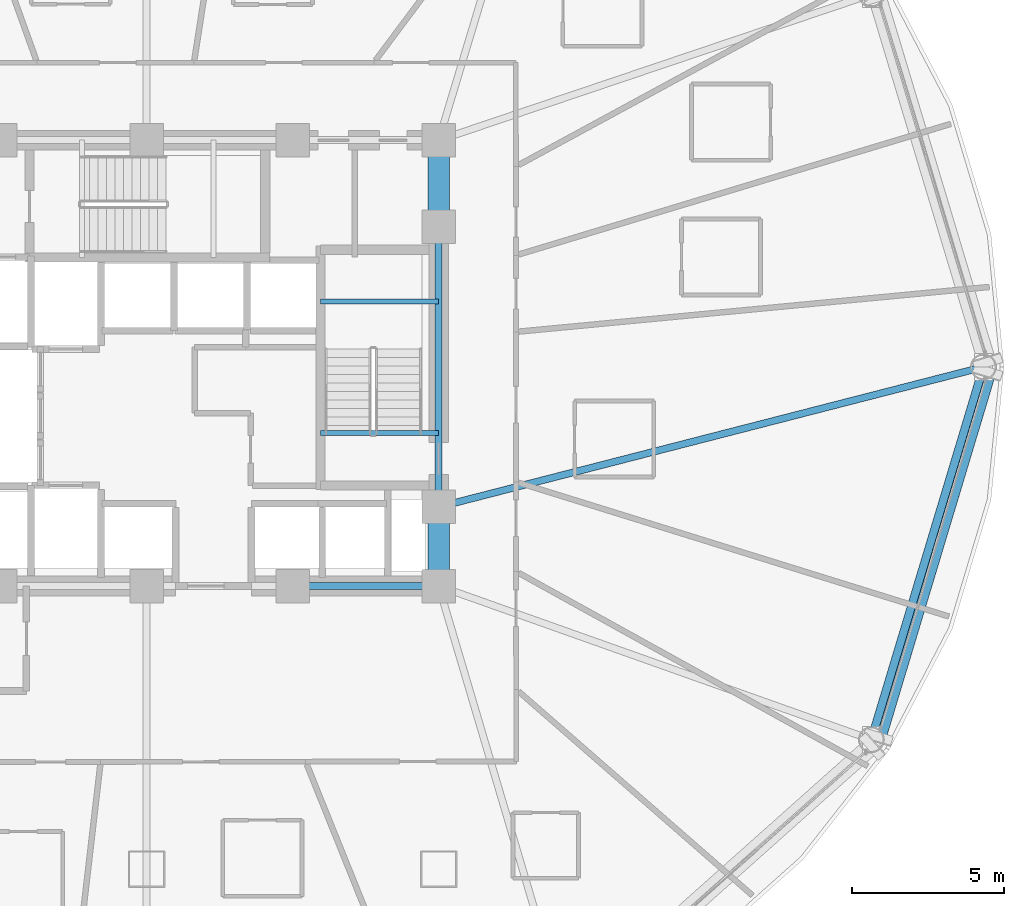
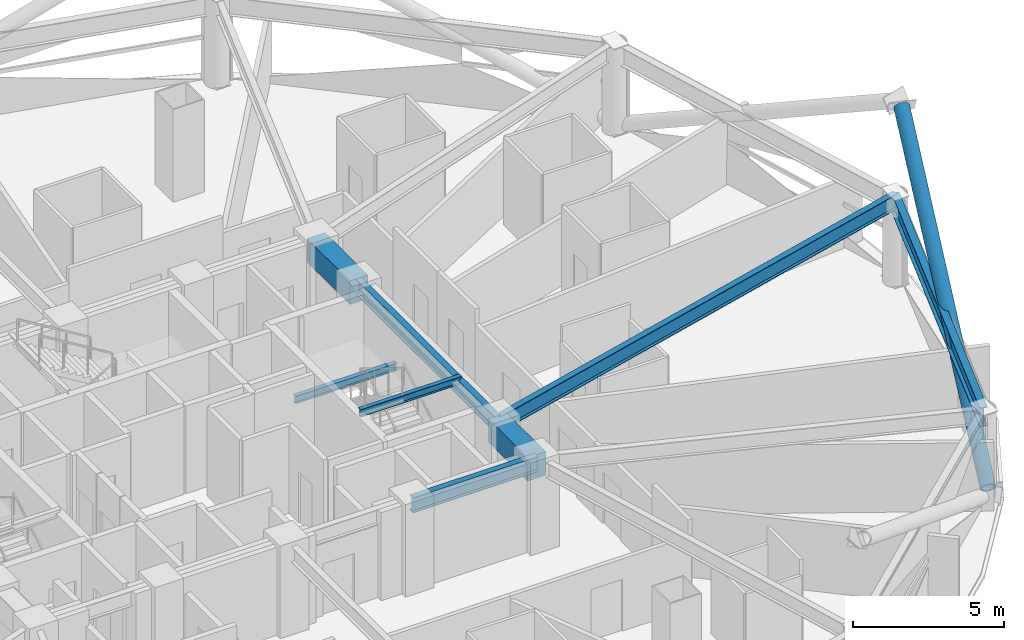
# One storey, part 11 of 30: 8 beams, 1 member.
"""IFC4 building model written with IfcOpenShell, lengths in metres."""

from ifc_helpers import new_model, si_unit, direction, frame, origin, origin_2d, place, context, subcontext, project, spatial, rectangle, hollow_circle, i_section, extrude, material, material_profile, profile_set, type_object, element, save


model = new_model("IFC4")

# Units and contexts
model_context = context("Model", 3, precision=1e-05, world=origin(), true_north=direction((0.0, 1.0)))
body_context = subcontext(model_context, "Body", "Model", "MODEL_VIEW")
ifc_project = project(units=[si_unit("LENGTHUNIT", "METRE"), si_unit("AREAUNIT", "SQUARE_METRE"), si_unit("VOLUMEUNIT", "CUBIC_METRE"), si_unit("PLANEANGLEUNIT", "RADIAN"), si_unit("MASSUNIT", "GRAM", prefix="KILO")], contexts=[model_context])

# Site, building, storey
site_placement = place(None, origin())
site = spatial("IfcSite", under=ifc_project, at=site_placement, CompositionType="ELEMENT")
building_placement = place(site_placement, origin())
building = spatial("IfcBuilding", under=site, at=building_placement, Name="Vantalir Tower", CompositionType="ELEMENT")
storey_placement = place(building_placement, frame((0.0, 0.0, 79.5)))
storey = spatial("IfcBuildingStorey", under=building, at=storey_placement, Name="L19", CompositionType="ELEMENT", Elevation=79.5)

# Beams
ifc_material_1 = material(Name="Concrete C60/75", Category="concrete")
ifc_material_profile_1 = material_profile(ifc_material_1, rectangle(XDim=0.699951171875, YDim=0.949951171875, at=origin_2d()), Name="Concrete C60/75")
ifc_profile_set_1 = profile_set([ifc_material_profile_1], Name="Concrete C60/75")
beam_type_1 = type_object("IfcBeamType", Name="BM-CB-700x950", PredefinedType="USERDEFINED", material=ifc_profile_set_1)
beam_1_placement = place(storey_placement, frame((41.10009765625, 17.800048828125, 3.094970703125), z_axis=(0.0, 1.0, 0.0), x_axis=(-1.0, 0.0, 0.0)))
element("IfcBeam", 1, at=beam_1_placement, inside=storey, type_object=beam_type_1, Name="L19 Core Coupling Girder 05", ObjectType="GIRDER", PredefinedType="USERDEFINED", context=body_context, shape_type="SweptSolid", body=[
    extrude(rectangle(XDim=0.699951171875, YDim=0.949951171875, at=origin_2d()), origin(), (0.0, 0.0, 1.0), 2.599853515625),
])
beam_2_placement = place(storey_placement, frame((41.10009765625, 29.60009765625, 3.094970703125), z_axis=(0.0, 1.0, 0.0), x_axis=(-1.0, 0.0, 0.0)))
element("IfcBeam", 2, at=beam_2_placement, inside=storey, type_object=beam_type_1, Name="L19 Core Coupling Girder 07", ObjectType="GIRDER", PredefinedType="USERDEFINED", context=body_context, shape_type="SweptSolid", body=[
    extrude(rectangle(XDim=0.699951171875, YDim=0.949951171875, at=origin_2d()), origin(), (0.0, 0.0, 1.0), 2.849853515625),
])
ifc_material_2 = material(Name="Steel S355", Category="steel")
ifc_material_profile_2 = material_profile(ifc_material_2, i_section(OverallWidth=0.166015625, OverallDepth=0.306884765625, WebThickness=0.006591796875, FlangeThickness=0.01171875, at=origin_2d()), Name="Steel S355")
ifc_profile_set_2 = profile_set([ifc_material_profile_2], Name="Steel S355")
beam_type_2 = type_object("IfcBeamType", Name="BM-JS-305x165", PredefinedType="JOIST", material=ifc_profile_set_2)
for number, where, z_axis, x_axis, name in (
    (3, (37.2099609375, 22.8349609375, 3.595947265625), (1.0, 0.0, 0.0), (0.0, 1.0, 0.0), "L20 Stair ST2 Well Nosing Trimmer Beam"),
    (4, (37.2099609375, 27.14501953125, 1.52197265625), (1.0, 0.0, 0.0), (0.0, 1.0, 0.0), "L19 Stair ST2 Half-Landing Support Beam"),
):
    element("IfcBeam", number, at=place(storey_placement, frame(where, z_axis=z_axis, x_axis=x_axis)), inside=storey, type_object=beam_type_2, Name=name, PredefinedType="JOIST", context=body_context, shape_type="SweptSolid", body=[
        extrude(i_section(OverallWidth=0.166015625, OverallDepth=0.306884765625, WebThickness=0.006591796875, FlangeThickness=0.01171875, at=origin_2d()), origin(), (0.0, 0.0, 1.0), 3.89013671875),
    ])
ifc_material_profile_3 = material_profile(ifc_material_2, i_section(OverallWidth=0.22998046875, OverallDepth=0.616943359375, WebThickness=0.01318359375, FlangeThickness=0.022216796875, at=origin_2d()), Name="Steel S355")
ifc_profile_set_3 = profile_set([ifc_material_profile_3], Name="Steel S355")
beam_type_3 = type_object("IfcBeamType", Name="BM-RB-610x229", PredefinedType="BEAM", material=ifc_profile_set_3)
beam_3_placement = place(storey_placement, frame((36.300048828125, 17.800048828125, 3.261962890625), z_axis=(1.0, 0.0, 0.0), x_axis=(0.0, 1.0, 0.0)))
element("IfcBeam", 5, at=beam_3_placement, inside=storey, type_object=beam_type_3, Name="L19 Core Coupling Girder 04", PredefinedType="BEAM", context=body_context, shape_type="SweptSolid", body=[
    extrude(i_section(OverallWidth=0.22998046875, OverallDepth=0.616943359375, WebThickness=0.01318359375, FlangeThickness=0.022216796875, at=origin_2d()), origin(), (0.0, 0.0, 1.0), 4.800048828125),
])
beam_4_placement = place(storey_placement, frame((41.10009765625, 20.39990234375, 3.261962890625), z_axis=(0.0, 1.0, 0.0), x_axis=(-1.0, 0.0, 0.0)))
element("IfcBeam", 6, at=beam_4_placement, inside=storey, type_object=beam_type_3, Name="L19 Core Coupling Girder 06", PredefinedType="BEAM", context=body_context, shape_type="SweptSolid", body=[
    extrude(i_section(OverallWidth=0.22998046875, OverallDepth=0.616943359375, WebThickness=0.01318359375, FlangeThickness=0.022216796875, at=origin_2d()), origin(), (0.0, 0.0, 1.0), 9.2001953125),
])
beam_5_placement = place(storey_placement, frame((59.0, 25.0, 3.261962890625), z_axis=(-0.968528607781, -0.248902261761, 0.0), x_axis=(0.248902261761, -0.968528607781, 0.0)))
element("IfcBeam", 7, at=beam_5_placement, inside=storey, type_object=beam_type_3, Name="L19 Radial Floor Beam 01", PredefinedType="BEAM", context=body_context, shape_type="SweptSolid", body=[
    extrude(i_section(OverallWidth=0.22998046875, OverallDepth=0.616943359375, WebThickness=0.01318359375, FlangeThickness=0.022216796875, at=origin_2d()), origin(), (0.0, 0.0, 1.0), 18.4814453125),
])
ifc_material_3 = material(Name="Steel S460", Category="steel")
ifc_material_profile_4 = material_profile(ifc_material_3, i_section(OverallWidth=0.26806640625, OverallDepth=0.77001953125, WebThickness=0.015625, FlangeThickness=0.025390625, at=origin_2d()), Name="Steel S460")
ifc_profile_set_4 = profile_set([ifc_material_profile_4], Name="Steel S460")
beam_type_4 = type_object("IfcBeamType", Name="BM-RG-762x267", PredefinedType="USERDEFINED", material=ifc_profile_set_4)
beam_6_placement = place(storey_placement, frame((55.31591796875, 12.751953125, 3.18505859375), z_axis=(0.288041290662, 0.957617990053, 0.0), x_axis=(-0.957617990053, 0.288041290662, 0.0)))
element("IfcBeam", 8, at=beam_6_placement, inside=storey, type_object=beam_type_4, Name="L19 Circumferential Ring Girder 12", ObjectType="GIRDER", PredefinedType="USERDEFINED", context=body_context, shape_type="SweptSolid", body=[
    extrude(i_section(OverallWidth=0.26806640625, OverallDepth=0.77001953125, WebThickness=0.015625, FlangeThickness=0.025390625, at=origin_2d()), origin(), (0.0, 0.0, 1.0), 12.7900390625),
])

# Member
ifc_material_profile_5 = material_profile(ifc_material_3, hollow_circle(Radius=0.27001953125, WallThickness=0.044921875, at=origin_2d()), Name="Steel S460")
ifc_profile_set_5 = profile_set([ifc_material_profile_5], Name="Steel S460")
member_type = type_object("IfcMemberType", Name="MEM-DB-540x45", PredefinedType="BRACE", material=ifc_profile_set_5)
member_placement = place(storey_placement, frame((55.534912109375, 12.841064453125, 0.18701171875), z_axis=(0.251684098995, 0.837166239767, 0.485600454395), x_axis=(-0.957657923707, 0.287908494424, 0.0)))
element("IfcMember", 9, at=member_placement, inside=storey, type_object=member_type, Name="L19 Perimeter S460 Diagrid Brace R34L", PredefinedType="BRACE", context=body_context, shape_type="SweptSolid", body=[
    extrude(hollow_circle(Radius=0.27001953125, WallThickness=0.044921875, at=origin_2d()), origin(), (0.0, 0.0, 1.0), 14.303955078125),
])

save(model, "model.ifc")
